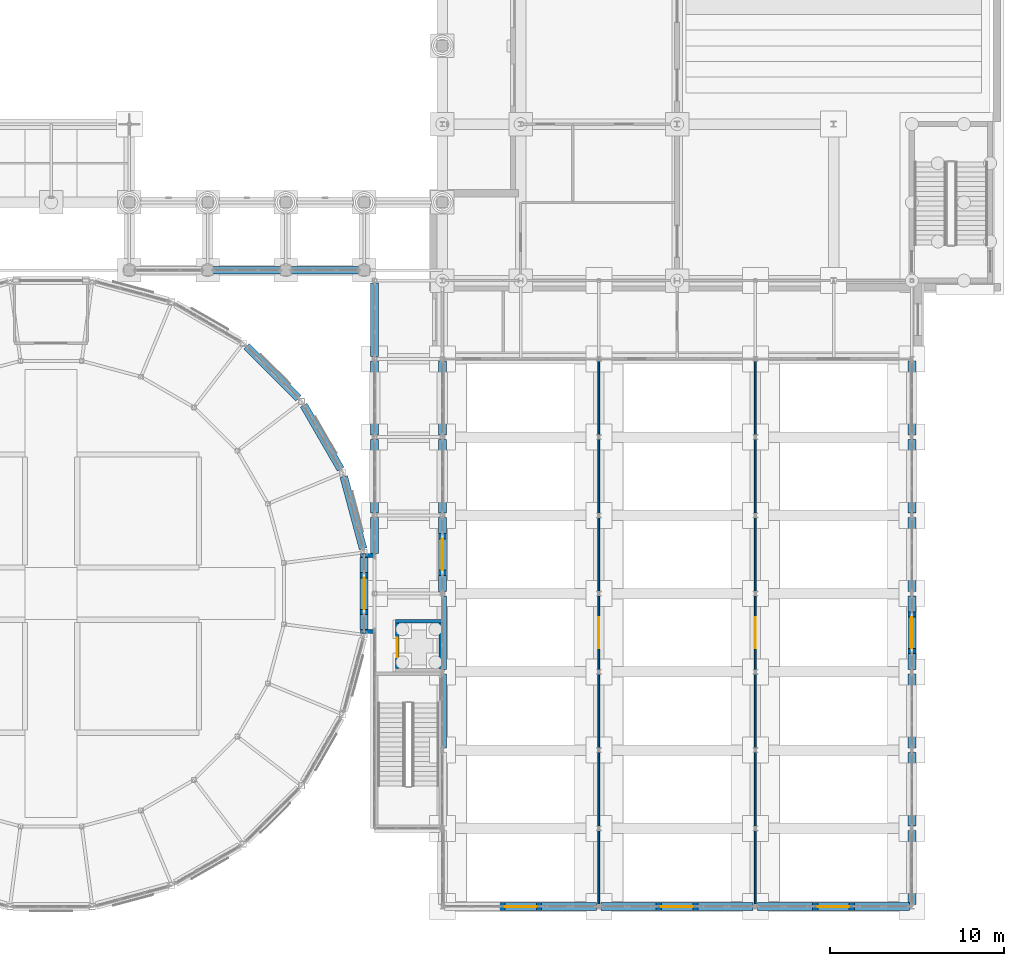
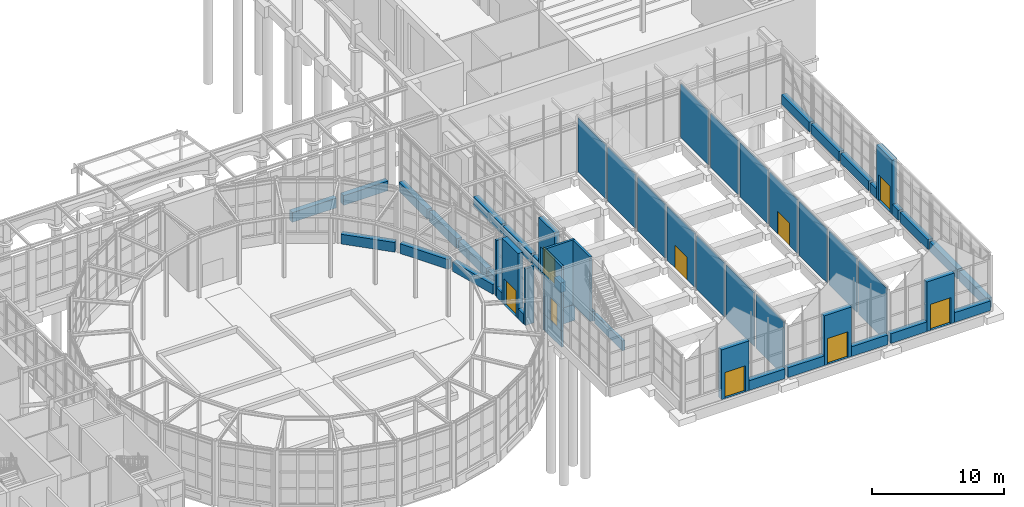
# One storey, part 72 of 106: 57 walls, 9 doors, 9 openings.
"""IFC4 building model written with IfcOpenShell, lengths in metres."""

import ifcopenshell
import ifcopenshell.guid

model = None  # the IFC model being written
_history = None  # IfcOwnerHistory: only IFC2X3 demands one
_inside = {}  # id of a spatial element -> (the spatial element, [elements in it])
_under = {}  # id of a project, library or spatial element -> (it, [spatial elements below it])
_declared = {}  # id of a project -> (the project, [libraries it declares])
_typed = {}  # id of a type object -> (the type object, [elements of that type])
_made_of = {}  # id of a material, layer set ... -> (it, [elements and type objects made of it])


def new_model(schema):
    """Start an empty IFC model of exactly this schema.

    Asked for "IFC4X3", IfcOpenShell would pick the latest addendum, in which some entities
    have other attributes; the version numbers below select the first issue.
    IFC2X3 requires an IfcOwnerHistory on every rooted entity: one is made here for all.
    """
    global model, _history
    if schema == "IFC4X3":
        model = ifcopenshell.file(schema_version=(4, 3, 0, 0))
    else:
        model = ifcopenshell.file(schema=schema)
    _inside.clear()
    _under.clear()
    _declared.clear()
    _typed.clear()
    _made_of.clear()
    _history = None
    if model.schema == "IFC2X3":
        org = make("IfcOrganization", Name="unknown")
        user = make(
            "IfcPersonAndOrganization",
            ThePerson=make("IfcPerson", FamilyName="unknown"),
            TheOrganization=org,
        )
        app = make(
            "IfcApplication",
            ApplicationDeveloper=org,
            Version="unknown",
            ApplicationFullName="unknown",
            ApplicationIdentifier="unknown",
        )
        _history = make(
            "IfcOwnerHistory",
            OwningUser=user,
            OwningApplication=app,
            ChangeAction="ADDED",
            CreationDate=0,
        )
    return model


def make(cls, **values):
    """One entity of the class cls with the attributes given. An attribute that is None is left unset."""
    return model.create_entity(
        cls, **{name: value for name, value in values.items() if value is not None}
    )


def rooted(cls, **values):
    """An entity with a GlobalId (a new one), such as an element, a storey or a relation."""
    return make(cls, GlobalId=ifcopenshell.guid.new(), OwnerHistory=_history, **values)


def si_unit(unit_type, name, prefix=None):
    """IfcSIUnit, for example si_unit("LENGTHUNIT", "METRE", prefix="MILLI")."""
    return make("IfcSIUnit", UnitType=unit_type, Prefix=prefix, Name=name)


def assignment(units):
    """IfcUnitAssignment: the units of a project."""
    return None if units is None else make("IfcUnitAssignment", Units=units)


def point(xyz):
    """IfcCartesianPoint."""
    return None if xyz is None else make("IfcCartesianPoint", Coordinates=xyz)


def direction(xyz):
    """IfcDirection."""
    return None if xyz is None else make("IfcDirection", DirectionRatios=xyz)


def frame(location, z_axis=None, x_axis=None):
    """IfcAxis2Placement3D, a coordinate frame: its origin and axes. An axis left out is left unset."""
    return make(
        "IfcAxis2Placement3D",
        Location=point(location),
        Axis=direction(z_axis),
        RefDirection=direction(x_axis),
    )


def frame_2d(location, x_axis=None):
    """IfcAxis2Placement2D, a coordinate frame in the plane: its origin and x axis."""
    return make(
        "IfcAxis2Placement2D", Location=point(location), RefDirection=direction(x_axis)
    )


def origin():
    """The frame at (0, 0, 0) with its axes left unset."""
    return frame((0.0, 0.0, 0.0))


def place(relative_to, where):
    """IfcLocalPlacement: puts the frame where relative to a parent placement (None: the world)."""
    return make(
        "IfcLocalPlacement", PlacementRelTo=relative_to, RelativePlacement=where
    )


def context(
    kind, dimensions, precision=None, world=None, true_north=None, identifier=None
):
    """IfcGeometricRepresentationContext, for example the 3D "Model" context."""
    return make(
        "IfcGeometricRepresentationContext",
        ContextIdentifier=identifier,
        ContextType=kind,
        CoordinateSpaceDimension=dimensions,
        Precision=precision,
        WorldCoordinateSystem=world,
        TrueNorth=true_north,
    )


def subcontext(parent, identifier, kind, view, scale=None):
    """IfcGeometricRepresentationSubContext, for example "Body" below "Model"."""
    return make(
        "IfcGeometricRepresentationSubContext",
        ContextIdentifier=identifier,
        ContextType=kind,
        ParentContext=parent,
        TargetScale=scale,
        TargetView=view,
    )


def project(units=None, contexts=None):
    """IfcProject with its units and contexts."""
    return rooted(
        "IfcProject",
        Name="project",
        RepresentationContexts=contexts,
        UnitsInContext=assignment(units),
    )


def spatial(cls, under=None, at=None, **own):
    """A site, building, storey or space (cls), placed at a placement, below another one or the project."""
    s = rooted(cls, ObjectPlacement=at, **own)
    if under is not None:
        _under.setdefault(under.id(), (under, []))[1].append(s)
    return s


def profile(cls, at=None, kind="AREA", **sizes):
    """A parametric profile (cls). Its sizes go by their IFC names, for example OverallWidth=200.0."""
    return make(cls, ProfileType=kind, Position=at, **sizes)


def rectangle(**sizes):
    """IfcRectangleProfileDef."""
    return profile("IfcRectangleProfileDef", **sizes)


def extrude(swept, where, along, depth):
    """IfcExtrudedAreaSolid: the profile swept, set in the frame where, extruded along a direction by depth."""
    return make(
        "IfcExtrudedAreaSolid",
        SweptArea=swept,
        Position=where,
        ExtrudedDirection=direction(along),
        Depth=depth,
    )


def shape(context_of_items, identifier, shape_type, items):
    """IfcShapeRepresentation: the items that make up one representation, for example the "Body"."""
    return make(
        "IfcShapeRepresentation",
        ContextOfItems=context_of_items,
        RepresentationIdentifier=identifier,
        RepresentationType=shape_type,
        Items=items,
    )


def material(Name=None, Category=None):
    """IfcMaterial."""
    return make("IfcMaterial", Name=Name, Category=Category)


def layer(
    of_material, thickness, ventilated=None, Name=None, Category=None, Priority=None
):
    """IfcMaterialLayer: one layer of a wall or slab, of a material (None: an air gap)."""
    return make(
        "IfcMaterialLayer",
        Material=of_material,
        LayerThickness=thickness,
        IsVentilated=ventilated,
        Name=Name,
        Category=Category,
        Priority=Priority,
    )


def layer_set(layers, Name=None):
    """IfcMaterialLayerSet."""
    return make("IfcMaterialLayerSet", MaterialLayers=layers, LayerSetName=Name)


def made_of(thing, what):
    """Note that an element or type object is made of a material, layer set ...; save() writes the relation."""
    if what is not None:
        _made_of.setdefault(what.id(), (what, []))[1].append(thing)
    return thing


def type_object(cls, material=None, **own):
    """A type object (cls), such as IfcWallType, which elements share."""
    return made_of(rooted(cls, **own), material)


def element(
    cls,
    number,
    at=None,
    inside=None,
    cuts=None,
    type_object=None,
    material=None,
    context=None,
    identifier="Body",
    shape_type=None,
    held_by="IfcProductDefinitionShape",
    body=None,
    shapes=None,
    **own,
):
    """One element of the class cls, such as IfcWall. Its Tag is "e" and its number.

    at: its placement. inside: the storey or other place that contains it. cuts: it is an
    opening in that element (IfcRelVoidsElement). A single representation is given by context,
    identifier, shape_type and body (its items); several are given by shapes. held_by: the class
    of the entity that holds the representations. save() writes the other relations.
    """
    e = rooted(cls, Tag="e%d" % number, ObjectPlacement=at, **own)
    if body is not None:
        shapes = [shape(context, identifier, shape_type, body)]
    if shapes is not None:
        e.Representation = make(held_by, Representations=shapes)
    if inside is not None:
        _inside.setdefault(inside.id(), (inside, []))[1].append(e)
    if cuts is not None:
        rooted(
            "IfcRelVoidsElement", RelatingBuildingElement=cuts, RelatedOpeningElement=e
        )
    if type_object is not None:
        _typed.setdefault(type_object.id(), (type_object, []))[1].append(e)
    return made_of(e, material)


def fill(opening, filler):
    """IfcRelFillsElement: the door or window that sits in an opening."""
    return rooted(
        "IfcRelFillsElement",
        RelatingOpeningElement=opening,
        RelatedBuildingElement=filler,
    )


def aggregate(whole, parts):
    """IfcRelAggregates: a whole, such as a stair, and the parts it consists of."""
    return rooted("IfcRelAggregates", RelatingObject=whole, RelatedObjects=parts)


def save(model, path):
    """Write the relations noted so far, then the file.

    IfcRelAggregates (storeys below a building ...), IfcRelContainedInSpatialStructure (elements
    in a storey), IfcRelDefinesByType, IfcRelAssociatesMaterial and IfcRelDeclares: one each for
    every whole, place, type object, material and project.
    """
    for whole, parts in _under.values():
        aggregate(whole, parts)
    for where, things in _inside.values():
        rooted(
            "IfcRelContainedInSpatialStructure",
            RelatedElements=things,
            RelatingStructure=where,
        )
    for kind, things in _typed.values():
        rooted("IfcRelDefinesByType", RelatedObjects=things, RelatingType=kind)
    for what, things in _made_of.values():
        rooted("IfcRelAssociatesMaterial", RelatedObjects=things, RelatingMaterial=what)
    for by, libraries in _declared.values():
        rooted("IfcRelDeclares", RelatingContext=by, RelatedDefinitions=libraries)
    model.write(path)


model = new_model("IFC4")

# Units and contexts
model_context = context("Model", 3, precision=1e-05, world=origin(), true_north=direction((0.0, 1.0)))
body_context = subcontext(model_context, "Body", "Model", "MODEL_VIEW")
ifc_project = project(units=[si_unit("LENGTHUNIT", "METRE"), si_unit("AREAUNIT", "SQUARE_METRE"), si_unit("VOLUMEUNIT", "CUBIC_METRE"), si_unit("PLANEANGLEUNIT", "RADIAN"), si_unit("MASSUNIT", "GRAM", prefix="KILO")], contexts=[model_context])

# Site, building, storey
site_placement = place(None, origin())
site = spatial("IfcSite", under=ifc_project, at=site_placement, CompositionType="ELEMENT")
building_placement = place(site_placement, origin())
building = spatial("IfcBuilding", under=site, at=building_placement, Name="Hortulan Conservatory and Botanical Research Centre", CompositionType="ELEMENT")
storey_placement = place(building_placement, origin())
storey = spatial("IfcBuildingStorey", under=building, at=storey_placement, Name="L00", CompositionType="ELEMENT", Elevation=0.0)

# Walls
ifc_material_1 = material(Name="Toughened glass in aluminium frame", Category="aluminium")
ifc_layer_1 = layer(ifc_material_1, 0.10009765625)
ifc_layer_set_1 = layer_set([ifc_layer_1], Name="Glasshouse Glazed Partition 100")
wall_type_1 = type_object("IfcWallType", Name="Glasshouse Glazed Partition 100", PredefinedType="PARTITIONING", material=ifc_layer_set_1)
for number, where, z_axis, x_axis, name in (
    (1, (85.5, 0.136962890625, 0.0), (0.0, 0.0, 1.0), (0.0, 1.0, 0.0), "Partition Temperate Glasshouse and Arid Glasshouse L00"),
    (2, (85.5, 4.636962890625, 0.0), (0.0, 0.0, 1.0), (0.0, 1.0, 0.0), "Partition Temperate Glasshouse and Arid Glasshouse L00"),
    (3, (85.5, 9.136962890625, 0.0), (0.0, 0.0, 1.0), (0.0, 1.0, 0.0), "Partition Temperate Glasshouse and Arid Glasshouse L00"),
):
    element("IfcWall", number, at=place(storey_placement, frame(where, z_axis=z_axis, x_axis=x_axis)), inside=storey, type_object=wall_type_1, Name=name, PredefinedType="PARTITIONING", context=body_context, shape_type="SweptSolid", body=[
        extrude(rectangle(XDim=4.22607421875, YDim=0.10009765625, at=frame_2d((2.113037109375, 0.0))), origin(), (0.0, 0.0, 1.0), 5.0),
    ])

# Wall, opening, door
wall_1_placement = place(storey_placement, frame((85.5, 13.636962890625, 0.0), z_axis=(0.0, 0.0, 1.0), x_axis=(0.0, 1.0, 0.0)))
wall_1 = element("IfcWall", 4, at=wall_1_placement, inside=storey, type_object=wall_type_1, Name="Partition Temperate Glasshouse and Arid Glasshouse L00", PredefinedType="PARTITIONING", context=body_context, shape_type="SweptSolid", body=[
    extrude(rectangle(XDim=4.22607421875, YDim=0.10009765625, at=frame_2d((2.113037109375, 0.0))), origin(), (0.0, 0.0, 1.0), 5.0),
])
opening_1_placement = place(wall_1_placement, frame((1.212890625, 0.0, 0.0)))
opening_1 = element("IfcOpeningElement", 5, at=opening_1_placement, cuts=wall_1, Name="Opening DL1", PredefinedType="OPENING", context=body_context, shape_type="SweptSolid", body=[
    extrude(rectangle(XDim=1.800048828125, YDim=2.10009765625, at=frame_2d((0.89990234375, 1.050048828125))), frame((0.0, 0.06005859375, 0.0), z_axis=(0.0, -1.0, 0.0), x_axis=(1.0, 0.0, 0.0)), (0.0, 0.0, 1.0), 0.1201171875),
])
ifc_material_2 = material(Name="Glazed aluminium door leaves in aluminium frame", Category="aluminium")
door_type_1 = type_object("IfcDoorType", Name="Glazed Double Door 1800 x 2100", OperationType="DOUBLE_DOOR_SINGLE_SWING", PredefinedType="DOOR", material=ifc_material_2)
door_1_placement = place(opening_1_placement, frame((1.800048828125, 0.0, 0.0), z_axis=(0.0, 0.0, 1.0), x_axis=(-1.0, 0.0, 0.0)))
door_1 = element("IfcDoor", 6, at=door_1_placement, inside=storey, type_object=door_type_1, Name="Door DL1 Temperate Glasshouse to Arid Glasshouse", OperationType="DOUBLE_DOOR_SINGLE_SWING", OverallHeight=2.10009765625, OverallWidth=1.800048828125, PredefinedType="DOOR", context=body_context, shape_type="SweptSolid", body=[
    extrude(rectangle(XDim=1.800048828125, YDim=2.10009765625, at=frame_2d((0.89990234375, 1.050048828125))), frame((0.0, 0.02490234375, 0.0), z_axis=(0.0, -1.0, 0.0), x_axis=(1.0, 0.0, 0.0)), (0.0, 0.0, 1.0), 0.050048828125),
])
fill(opening_1, door_1)

# Walls
for number, where, z_axis, x_axis, name in (
    (7, (85.5, 18.136962890625, 0.0), (0.0, 0.0, 1.0), (0.0, 1.0, 0.0), "Partition Temperate Glasshouse and Arid Glasshouse L00"),
    (8, (85.5, 22.636962890625, 0.0), (0.0, 0.0, 1.0), (0.0, 1.0, 0.0), "Partition Temperate Glasshouse and Arid Glasshouse L00"),
    (9, (85.5, 27.136962890625, 0.0), (0.0, 0.0, 1.0), (0.0, 1.0, 0.0), "Partition Temperate Glasshouse and Arid Glasshouse L00"),
    (10, (94.5, 0.136962890625, 0.0), (0.0, 0.0, 1.0), (0.0, 1.0, 0.0), "Partition Arid Glasshouse and Propagation and Quarantine Glasshouse L00"),
    (11, (94.5, 4.636962890625, 0.0), (0.0, 0.0, 1.0), (0.0, 1.0, 0.0), "Partition Arid Glasshouse and Propagation and Quarantine Glasshouse L00"),
    (12, (94.5, 9.136962890625, 0.0), (0.0, 0.0, 1.0), (0.0, 1.0, 0.0), "Partition Arid Glasshouse and Propagation and Quarantine Glasshouse L00"),
):
    element("IfcWall", number, at=place(storey_placement, frame(where, z_axis=z_axis, x_axis=x_axis)), inside=storey, type_object=wall_type_1, Name=name, PredefinedType="PARTITIONING", context=body_context, shape_type="SweptSolid", body=[
        extrude(rectangle(XDim=4.22607421875, YDim=0.10009765625, at=frame_2d((2.113037109375, 0.0))), origin(), (0.0, 0.0, 1.0), 5.0),
    ])

# Wall, opening, door
wall_2_placement = place(storey_placement, frame((94.5, 13.636962890625, 0.0), z_axis=(0.0, 0.0, 1.0), x_axis=(0.0, 1.0, 0.0)))
wall_2 = element("IfcWall", 13, at=wall_2_placement, inside=storey, type_object=wall_type_1, Name="Partition Arid Glasshouse and Propagation and Quarantine Glasshouse L00", PredefinedType="PARTITIONING", context=body_context, shape_type="SweptSolid", body=[
    extrude(rectangle(XDim=4.22607421875, YDim=0.10009765625, at=frame_2d((2.113037109375, 0.0))), origin(), (0.0, 0.0, 1.0), 5.0),
])
opening_2_placement = place(wall_2_placement, frame((1.212890625, 0.0, 0.0)))
opening_2 = element("IfcOpeningElement", 14, at=opening_2_placement, cuts=wall_2, Name="Opening DL1", PredefinedType="OPENING", context=body_context, shape_type="SweptSolid", body=[
    extrude(rectangle(XDim=1.800048828125, YDim=2.10009765625, at=frame_2d((0.89990234375, 1.050048828125))), frame((0.0, 0.06005859375, 0.0), z_axis=(0.0, -1.0, 0.0), x_axis=(1.0, 0.0, 0.0)), (0.0, 0.0, 1.0), 0.1201171875),
])
door_2_placement = place(opening_2_placement, frame((1.800048828125, 0.0, 0.0), z_axis=(0.0, 0.0, 1.0), x_axis=(-1.0, 0.0, 0.0)))
door_2 = element("IfcDoor", 15, at=door_2_placement, inside=storey, type_object=door_type_1, Name="Door DL1 Arid Glasshouse to Propagation and Quarantine Glasshouse", OperationType="DOUBLE_DOOR_SINGLE_SWING", OverallHeight=2.10009765625, OverallWidth=1.800048828125, PredefinedType="DOOR", context=body_context, shape_type="SweptSolid", body=[
    extrude(rectangle(XDim=1.800048828125, YDim=2.10009765625, at=frame_2d((0.89990234375, 1.050048828125))), frame((0.0, 0.02490234375, 0.0), z_axis=(0.0, -1.0, 0.0), x_axis=(1.0, 0.0, 0.0)), (0.0, 0.0, 1.0), 0.050048828125),
])
fill(opening_2, door_2)

# Walls
for number, where, z_axis, x_axis, name in (
    (16, (94.5, 18.136962890625, 0.0), (0.0, 0.0, 1.0), (0.0, 1.0, 0.0), "Partition Arid Glasshouse and Propagation and Quarantine Glasshouse L00"),
    (17, (94.5, 22.636962890625, 0.0), (0.0, 0.0, 1.0), (0.0, 1.0, 0.0), "Partition Arid Glasshouse and Propagation and Quarantine Glasshouse L00"),
    (18, (94.5, 27.136962890625, 0.0), (0.0, 0.0, 1.0), (0.0, 1.0, 0.0), "Partition Arid Glasshouse and Propagation and Quarantine Glasshouse L00"),
):
    element("IfcWall", number, at=place(storey_placement, frame(where, z_axis=z_axis, x_axis=x_axis)), inside=storey, type_object=wall_type_1, Name=name, PredefinedType="PARTITIONING", context=body_context, shape_type="SweptSolid", body=[
        extrude(rectangle(XDim=4.22607421875, YDim=0.10009765625, at=frame_2d((2.113037109375, 0.0))), origin(), (0.0, 0.0, 1.0), 5.0),
    ])
ifc_material_3 = material(Name="Concrete N40 (40 MPa, AS 3600)", Category="concrete")
ifc_layer_2 = layer(ifc_material_3, 0.199951171875)
ifc_layer_set_2 = layer_set([ifc_layer_2], Name="Head Link Shaft Wall 200")
wall_type_2 = type_object("IfcWallType", Name="Head Link Shaft Wall 200", PredefinedType="SHEAR", material=ifc_layer_set_2)
wall_3_placement = place(storey_placement, frame((73.800048828125, 16.39990234375, 0.0), z_axis=(0.0, 0.0, 1.0), x_axis=(1.0, 0.0, 0.0)))
element("IfcWall", 19, at=wall_3_placement, inside=storey, type_object=wall_type_2, Name="HE lift shaft north wall L00", PredefinedType="SHEAR", context=body_context, shape_type="SweptSolid", body=[
    extrude(rectangle(XDim=2.699951171875, YDim=0.199951171875, at=frame_2d((1.35009765625, 0.0))), origin(), (0.0, 0.0, 1.0), 6.0),
])

# Wall, opening, door
wall_4_placement = place(storey_placement, frame((73.89990234375, 13.699951171875, 0.0), z_axis=(0.0, 0.0, 1.0), x_axis=(0.0, 1.0, 0.0)))
wall_4 = element("IfcWall", 20, at=wall_4_placement, inside=storey, type_object=wall_type_2, Name="HE lift shaft west wall L00", PredefinedType="SHEAR", context=body_context, shape_type="SweptSolid", body=[
    extrude(rectangle(XDim=2.60009765625, YDim=0.199951171875, at=frame_2d((1.300048828125, 0.0))), origin(), (0.0, 0.0, 1.0), 6.0),
])
opening_3_placement = place(wall_4_placement, frame((0.64990234375, 0.0, 0.0)))
opening_3 = element("IfcOpeningElement", 21, at=opening_3_placement, cuts=wall_4, Name="Opening LD1", PredefinedType="OPENING", context=body_context, shape_type="SweptSolid", body=[
    extrude(rectangle(XDim=1.10009765625, YDim=2.10009765625, at=frame_2d((0.550048828125, 1.050048828125))), frame((0.0, 0.10986328125, 0.0), z_axis=(0.0, -1.0, 0.0), x_axis=(1.0, 0.0, 0.0)), (0.0, 0.0, 1.0), 0.219970703125),
])
ifc_material_4 = material(Name="Stainless steel door leaves in steel frame", Category="steel")
door_type_2 = type_object("IfcDoorType", Name="Lift Landing Door 1100x2100", OperationType="DOUBLE_DOOR_SLIDING", PredefinedType="DOOR", material=ifc_material_4)
door_3_placement = place(opening_3_placement, origin())
door_3 = element("IfcDoor", 22, at=door_3_placement, inside=storey, type_object=door_type_2, Name="Lift LHE landing door L00", OperationType="DOUBLE_DOOR_SLIDING", OverallHeight=2.10009765625, OverallWidth=1.10009765625, PredefinedType="DOOR", context=body_context, shape_type="SweptSolid", body=[
    extrude(rectangle(XDim=1.10009765625, YDim=2.10009765625, at=frame_2d((0.550048828125, 1.050048828125))), frame((0.0, 0.02490234375, 0.0), z_axis=(0.0, -1.0, 0.0), x_axis=(1.0, 0.0, 0.0)), (0.0, 0.0, 1.0), 0.050048828125),
])
fill(opening_3, door_3)

# Walls
wall_5_placement = place(storey_placement, frame((76.39990234375, 13.699951171875, 0.0), z_axis=(0.0, 0.0, 1.0), x_axis=(0.0, 1.0, 0.0)))
element("IfcWall", 23, at=wall_5_placement, inside=storey, type_object=wall_type_2, Name="HE lift shaft east wall L00", PredefinedType="SHEAR", context=body_context, shape_type="SweptSolid", body=[
    extrude(rectangle(XDim=2.60009765625, YDim=0.199951171875, at=frame_2d((1.300048828125, 0.0))), origin(), (0.0, 0.0, 1.0), 6.0),
])
wall_6_placement = place(storey_placement, frame((73.800048828125, 16.39990234375, -1.5), z_axis=(0.0, 0.0, 1.0), x_axis=(1.0, 0.0, 0.0)))
element("IfcWall", 24, at=wall_6_placement, inside=storey, type_object=wall_type_2, Name="HE lift pit north wall", PredefinedType="SHEAR", context=body_context, shape_type="SweptSolid", body=[
    extrude(rectangle(XDim=2.699951171875, YDim=0.199951171875, at=frame_2d((1.35009765625, 0.0))), origin(), (0.0, 0.0, 1.0), 1.5),
])
wall_7_placement = place(storey_placement, frame((73.89990234375, 13.699951171875, -1.5), z_axis=(0.0, 0.0, 1.0), x_axis=(0.0, 1.0, 0.0)))
element("IfcWall", 25, at=wall_7_placement, inside=storey, type_object=wall_type_2, Name="HE lift pit west wall", PredefinedType="SHEAR", context=body_context, shape_type="SweptSolid", body=[
    extrude(rectangle(XDim=2.60009765625, YDim=0.199951171875, at=frame_2d((1.300048828125, 0.0))), origin(), (0.0, 0.0, 1.0), 1.5),
])
ifc_material_5 = material(Name="Sandstone masonry (Hawkesbury yellow block)", Category="masonry")
ifc_layer_3 = layer(ifc_material_5, 0.22509765625)
ifc_layer_set_3 = layer_set([ifc_layer_3], Name="Sandstone Masonry Cavity Wall 225")
wall_type_3 = type_object("IfcWallType", Name="Sandstone Masonry Cavity Wall 225", PredefinedType="STANDARD", material=ifc_layer_set_3)
for number, where, z_axis, x_axis, name in (
    (26, (71.804931640625, 15.81787109375, 0.0), (0.0, 0.0, 1.0), (1.0, 0.0, 0.0), "Niche return wall"),
    (27, (71.804931640625, 20.18212890625, 0.0), (0.0, 0.0, 1.0), (1.0, 0.0, 0.0), "Niche return wall"),
):
    element("IfcWall", number, at=place(storey_placement, frame(where, z_axis=z_axis, x_axis=x_axis)), inside=storey, type_object=wall_type_3, Name=name, PredefinedType="STANDARD", context=body_context, shape_type="SweptSolid", body=[
        extrude(rectangle(XDim=0.77001953125, YDim=0.22509765625, at=frame_2d((0.385009765625, 0.0))), origin(), (0.0, 0.0, 1.0), 5.239990234375),
    ])
wall_8_placement = place(storey_placement, frame((76.612548828125, 17.8720703125, 0.0), z_axis=(0.0, 0.0, 1.0), x_axis=(0.0, -1.0, 0.0)))
element("IfcWall", 28, at=wall_8_placement, inside=storey, type_object=wall_type_3, Name="Plinth wall", PredefinedType="STANDARD", context=body_context, shape_type="SweptSolid", body=[
    extrude(rectangle(XDim=4.2421875, YDim=0.22509765625, at=frame_2d((2.12109375, 0.0))), origin(), (0.0, 0.0, 1.0), 0.89990234375),
])
wall_9_placement = place(storey_placement, frame((76.612548828125, 13.3701171875, 0.0), z_axis=(0.0, 0.0, 1.0), x_axis=(0.0, -1.0, 0.0)))
element("IfcWall", 29, at=wall_9_placement, inside=storey, type_object=wall_type_3, Name="Plinth wall", PredefinedType="STANDARD", context=body_context, shape_type="SweptSolid", body=[
    extrude(rectangle(XDim=4.240234375, YDim=0.22509765625, at=frame_2d((2.1201171875, 0.0))), origin(), (0.0, 0.0, 1.0), 0.89990234375),
])
ifc_layer_4 = layer(ifc_material_5, 0.449951171875)
ifc_layer_set_4 = layer_set([ifc_layer_4], Name="Sandstone Masonry Cavity Wall 450")
wall_type_4 = type_object("IfcWallType", Name="Sandstone Masonry Cavity Wall 450", PredefinedType="STANDARD", material=ifc_layer_set_4)
wall_10_placement = place(storey_placement, frame((70.82958984375, 24.738037109375, 0.0), z_axis=(0.0, 0.0, 1.0), x_axis=(0.258781441844, -0.965935901267, 0.0)))
element("IfcWall", 30, at=wall_10_placement, inside=storey, type_object=wall_type_4, Name="Plinth wall", PredefinedType="STANDARD", context=body_context, shape_type="SweptSolid", body=[
    extrude(rectangle(XDim=4.304931640625, YDim=0.449951171875, at=frame_2d((2.15234375, 0.0))), origin(), (0.0, 0.0, 1.0), 0.89990234375),
])
wall_11_placement = place(storey_placement, frame((68.52490234375, 28.84228515625, 0.0), z_axis=(0.0, 0.0, 1.0), x_axis=(0.49998406464, -0.866034603873, 0.0)))
element("IfcWall", 31, at=wall_11_placement, inside=storey, type_object=wall_type_4, Name="Plinth wall", PredefinedType="STANDARD", context=body_context, shape_type="SweptSolid", body=[
    extrude(rectangle(XDim=4.254638671875, YDim=0.449951171875, at=frame_2d((2.12744140625, 0.0))), origin(), (0.0, 0.0, 1.0), 0.89990234375),
])
wall_12_placement = place(storey_placement, frame((65.22900390625, 32.226806640625, 0.0), z_axis=(0.0, 0.0, 1.0), x_axis=(0.707106781187, -0.707106781187, 0.0)))
element("IfcWall", 32, at=wall_12_placement, inside=storey, type_object=wall_type_4, Name="Plinth wall", PredefinedType="STANDARD", context=body_context, shape_type="SweptSolid", body=[
    extrude(rectangle(XDim=4.239501953125, YDim=0.449951171875, at=frame_2d((2.11962890625, 0.0))), origin(), (0.0, 0.0, 1.0), 0.89990234375),
])
wall_13_placement = place(storey_placement, frame((72.0, 20.069580078125, 0.0), z_axis=(0.0, 0.0, 1.0), x_axis=(0.0, -1.0, 0.0)))
element("IfcWall", 33, at=wall_13_placement, inside=storey, type_object=wall_type_4, Name="Plinth wall", PredefinedType="STANDARD", context=body_context, shape_type="SweptSolid", body=[
    extrude(rectangle(XDim=0.86962890625, YDim=0.449951171875, at=frame_2d((0.434814453125, 0.0))), origin(), (0.0, 0.0, 1.0), 0.89990234375),
])

# Wall, opening, door
wall_14_placement = place(storey_placement, frame((72.0, 19.199951171875, 0.0), z_axis=(0.0, 0.0, 1.0), x_axis=(0.0, -1.0, 0.0)))
wall_14 = element("IfcWall", 34, at=wall_14_placement, inside=storey, type_object=wall_type_4, Name="Door bay wall", PredefinedType="STANDARD", context=body_context, shape_type="SweptSolid", body=[
    extrude(rectangle(XDim=2.39990234375, YDim=0.449951171875, at=frame_2d((1.199951171875, 0.0))), origin(), (0.0, 0.0, 1.0), 6.0),
])
opening_4_placement = place(wall_14_placement, frame((0.300048828125, 0.0, 0.011962890625)))
opening_4 = element("IfcOpeningElement", 35, at=opening_4_placement, cuts=wall_14, Name="Opening ED8", PredefinedType="OPENING", context=body_context, shape_type="SweptSolid", body=[
    extrude(rectangle(XDim=1.800048828125, YDim=2.39990234375, at=frame_2d((0.89990234375, 1.199951171875))), frame((0.0, 0.23486328125, 0.0), z_axis=(0.0, -1.0, 0.0), x_axis=(1.0, 0.0, 0.0)), (0.0, 0.0, 1.0), 0.469970703125),
])
ifc_material_6 = material(Name="Bronze and toughened laminated glass", Category="glass")
door_type_3 = type_object("IfcDoorType", Name="Sliding Glazed Door Pair 1800x2400", OperationType="DOUBLE_DOOR_SLIDING", PredefinedType="DOOR", material=ifc_material_6)
door_4_placement = place(opening_4_placement, origin())
door_4 = element("IfcDoor", 36, at=door_4_placement, inside=storey, type_object=door_type_3, Name="Link door", OperationType="DOUBLE_DOOR_SLIDING", OverallHeight=2.39990234375, OverallWidth=1.800048828125, PredefinedType="DOOR", context=body_context, shape_type="SweptSolid", body=[
    extrude(rectangle(XDim=1.800048828125, YDim=2.39990234375, at=frame_2d((0.89990234375, 1.199951171875))), frame((0.0, 0.02490234375, 0.0), z_axis=(0.0, -1.0, 0.0), x_axis=(1.0, 0.0, 0.0)), (0.0, 0.0, 1.0), 0.050048828125),
])
fill(opening_4, door_4)

# Walls
wall_15_placement = place(storey_placement, frame((72.0, 16.800048828125, 0.0), z_axis=(0.0, 0.0, 1.0), x_axis=(0.0, -1.0, 0.0)))
element("IfcWall", 37, at=wall_15_placement, inside=storey, type_object=wall_type_4, Name="Plinth wall", PredefinedType="STANDARD", context=body_context, shape_type="SweptSolid", body=[
    extrude(rectangle(XDim=0.86962890625, YDim=0.449951171875, at=frame_2d((0.434814453125, 0.0))), origin(), (0.0, 0.0, 1.0), 0.89990234375),
])
wall_16_placement = place(storey_placement, frame((72.60009765625, 20.294677734375, 0.0), z_axis=(0.0, 0.0, 1.0), x_axis=(0.0, 1.0, 0.0)))
element("IfcWall", 38, at=wall_16_placement, inside=storey, type_object=wall_type_4, Name="Plinth wall", PredefinedType="STANDARD", context=body_context, shape_type="SweptSolid", body=[
    extrude(rectangle(XDim=2.077392578125, YDim=0.449951171875, at=frame_2d((1.03857421875, 0.0))), origin(), (0.0, 0.0, 1.0), 0.89990234375),
])
for number, where, z_axis, x_axis, name in (
    (39, (72.60009765625, 22.6279296875, 0.0), (0.0, 0.0, 1.0), (0.0, 1.0, 0.0), "Plinth wall"),
    (40, (72.60009765625, 27.1279296875, 0.0), (0.0, 0.0, 1.0), (0.0, 1.0, 0.0), "Plinth wall"),
    (41, (72.60009765625, 31.6279296875, 0.0), (0.0, 0.0, 1.0), (0.0, 1.0, 0.0), "Plinth wall"),
):
    element("IfcWall", number, at=place(storey_placement, frame(where, z_axis=z_axis, x_axis=x_axis)), inside=storey, type_object=wall_type_4, Name=name, PredefinedType="STANDARD", context=body_context, shape_type="SweptSolid", body=[
        extrude(rectangle(XDim=4.244140625, YDim=0.449951171875, at=frame_2d((2.1220703125, 0.0))), origin(), (0.0, 0.0, 1.0), 0.89990234375),
    ])
for number, where, z_axis, x_axis, name in (
    (42, (63.302978515625, 36.60009765625, 0.0), (0.0, 0.0, 1.0), (1.0, 0.0, 0.0), "Plinth wall"),
    (43, (67.802978515625, 36.60009765625, 0.0), (0.0, 0.0, 1.0), (1.0, 0.0, 0.0), "Plinth wall"),
):
    element("IfcWall", number, at=place(storey_placement, frame(where, z_axis=z_axis, x_axis=x_axis)), inside=storey, type_object=wall_type_4, Name=name, PredefinedType="STANDARD", context=body_context, shape_type="SweptSolid", body=[
        extrude(rectangle(XDim=3.89404296875, YDim=0.449951171875, at=frame_2d((1.947021484375, 0.0))), origin(), (0.0, 0.0, 1.0), 0.89990234375),
    ])
wall_17_placement = place(storey_placement, frame((85.3701171875, 0.0, 0.0), z_axis=(0.0, 0.0, 1.0), x_axis=(-1.0, 0.0, 0.0)))
element("IfcWall", 44, at=wall_17_placement, inside=storey, type_object=wall_type_4, Name="Plinth wall", PredefinedType="STANDARD", context=body_context, shape_type="SweptSolid", body=[
    extrude(rectangle(XDim=3.170166015625, YDim=0.449951171875, at=frame_2d((1.5849609375, 0.0))), origin(), (0.0, 0.0, 1.0), 0.89990234375),
])

# Wall, opening, door
wall_18_placement = place(storey_placement, frame((82.199951171875, 0.0, 0.0), z_axis=(0.0, 0.0, 1.0), x_axis=(-1.0, 0.0, 0.0)))
wall_18 = element("IfcWall", 45, at=wall_18_placement, inside=storey, type_object=wall_type_4, Name="Door bay wall", PredefinedType="STANDARD", context=body_context, shape_type="SweptSolid", body=[
    extrude(rectangle(XDim=2.39990234375, YDim=0.449951171875, at=frame_2d((1.199951171875, 0.0))), origin(), (0.0, 0.0, 1.0), 4.60009765625),
])
opening_5_placement = place(wall_18_placement, frame((0.300048828125, 0.0, 0.011962890625)))
opening_5 = element("IfcOpeningElement", 46, at=opening_5_placement, cuts=wall_18, Name="Opening ED2", PredefinedType="OPENING", context=body_context, shape_type="SweptSolid", body=[
    extrude(rectangle(XDim=1.800048828125, YDim=2.39990234375, at=frame_2d((0.89990234375, 1.199951171875))), frame((0.0, 0.23486328125, 0.0), z_axis=(0.0, -1.0, 0.0), x_axis=(1.0, 0.0, 0.0)), (0.0, 0.0, 1.0), 0.469970703125),
])
door_type_4 = type_object("IfcDoorType", Name="Exit Door Pair 1800x2400", OperationType="DOUBLE_DOOR_DOUBLE_SWING", PredefinedType="DOOR", material=ifc_material_6)
door_5_placement = place(opening_5_placement, origin())
door_5 = element("IfcDoor", 47, at=door_5_placement, inside=storey, type_object=door_type_4, Name="Exit door", OperationType="DOUBLE_DOOR_DOUBLE_SWING", OverallHeight=2.39990234375, OverallWidth=1.800048828125, PredefinedType="DOOR", context=body_context, shape_type="SweptSolid", body=[
    extrude(rectangle(XDim=1.800048828125, YDim=2.39990234375, at=frame_2d((0.89990234375, 1.199951171875))), frame((0.0, 0.02490234375, 0.0), z_axis=(0.0, -1.0, 0.0), x_axis=(1.0, 0.0, 0.0)), (0.0, 0.0, 1.0), 0.050048828125),
])
fill(opening_5, door_5)

# Wall
wall_19_placement = place(storey_placement, frame((94.3701171875, 0.0, 0.0), z_axis=(0.0, 0.0, 1.0), x_axis=(-1.0, 0.0, 0.0)))
element("IfcWall", 48, at=wall_19_placement, inside=storey, type_object=wall_type_4, Name="Plinth wall", PredefinedType="STANDARD", context=body_context, shape_type="SweptSolid", body=[
    extrude(rectangle(XDim=3.170166015625, YDim=0.449951171875, at=frame_2d((1.5849609375, 0.0))), origin(), (0.0, 0.0, 1.0), 0.89990234375),
])

# Wall, opening, door
wall_20_placement = place(storey_placement, frame((91.199951171875, 0.0, 0.0), z_axis=(0.0, 0.0, 1.0), x_axis=(-1.0, 0.0, 0.0)))
wall_20 = element("IfcWall", 49, at=wall_20_placement, inside=storey, type_object=wall_type_4, Name="Door bay wall", PredefinedType="STANDARD", context=body_context, shape_type="SweptSolid", body=[
    extrude(rectangle(XDim=2.39990234375, YDim=0.449951171875, at=frame_2d((1.199951171875, 0.0))), origin(), (0.0, 0.0, 1.0), 4.60009765625),
])
opening_6_placement = place(wall_20_placement, frame((0.300048828125, 0.0, 0.011962890625)))
opening_6 = element("IfcOpeningElement", 50, at=opening_6_placement, cuts=wall_20, Name="Opening ED2", PredefinedType="OPENING", context=body_context, shape_type="SweptSolid", body=[
    extrude(rectangle(XDim=1.800048828125, YDim=2.39990234375, at=frame_2d((0.89990234375, 1.199951171875))), frame((0.0, 0.23486328125, 0.0), z_axis=(0.0, -1.0, 0.0), x_axis=(1.0, 0.0, 0.0)), (0.0, 0.0, 1.0), 0.469970703125),
])
door_6_placement = place(opening_6_placement, origin())
door_6 = element("IfcDoor", 51, at=door_6_placement, inside=storey, type_object=door_type_4, Name="Exit door", OperationType="DOUBLE_DOOR_DOUBLE_SWING", OverallHeight=2.39990234375, OverallWidth=1.800048828125, PredefinedType="DOOR", context=body_context, shape_type="SweptSolid", body=[
    extrude(rectangle(XDim=1.800048828125, YDim=2.39990234375, at=frame_2d((0.89990234375, 1.199951171875))), frame((0.0, 0.02490234375, 0.0), z_axis=(0.0, -1.0, 0.0), x_axis=(1.0, 0.0, 0.0)), (0.0, 0.0, 1.0), 0.050048828125),
])
fill(opening_6, door_6)

# Walls
for number, where, z_axis, x_axis, name in (
    (52, (88.800048828125, 0.0, 0.0), (0.0, 0.0, 1.0), (-1.0, 0.0, 0.0), "Plinth wall"),
    (53, (103.3701171875, 0.0, 0.0), (0.0, 0.0, 1.0), (-1.0, 0.0, 0.0), "Plinth wall"),
):
    element("IfcWall", number, at=place(storey_placement, frame(where, z_axis=z_axis, x_axis=x_axis)), inside=storey, type_object=wall_type_4, Name=name, PredefinedType="STANDARD", context=body_context, shape_type="SweptSolid", body=[
        extrude(rectangle(XDim=3.170166015625, YDim=0.449951171875, at=frame_2d((1.5849609375, 0.0))), origin(), (0.0, 0.0, 1.0), 0.89990234375),
    ])

# Wall, opening, door
wall_21_placement = place(storey_placement, frame((100.199951171875, 0.0, 0.0), z_axis=(0.0, 0.0, 1.0), x_axis=(-1.0, 0.0, 0.0)))
wall_21 = element("IfcWall", 54, at=wall_21_placement, inside=storey, type_object=wall_type_4, Name="Door bay wall", PredefinedType="STANDARD", context=body_context, shape_type="SweptSolid", body=[
    extrude(rectangle(XDim=2.39990234375, YDim=0.449951171875, at=frame_2d((1.199951171875, 0.0))), origin(), (0.0, 0.0, 1.0), 4.60009765625),
])
opening_7_placement = place(wall_21_placement, frame((0.300048828125, 0.0, 0.011962890625)))
opening_7 = element("IfcOpeningElement", 55, at=opening_7_placement, cuts=wall_21, Name="Opening ED2", PredefinedType="OPENING", context=body_context, shape_type="SweptSolid", body=[
    extrude(rectangle(XDim=1.800048828125, YDim=2.39990234375, at=frame_2d((0.89990234375, 1.199951171875))), frame((0.0, 0.23486328125, 0.0), z_axis=(0.0, -1.0, 0.0), x_axis=(1.0, 0.0, 0.0)), (0.0, 0.0, 1.0), 0.469970703125),
])
door_7_placement = place(opening_7_placement, origin())
door_7 = element("IfcDoor", 56, at=door_7_placement, inside=storey, type_object=door_type_4, Name="Exit door", OperationType="DOUBLE_DOOR_DOUBLE_SWING", OverallHeight=2.39990234375, OverallWidth=1.800048828125, PredefinedType="DOOR", context=body_context, shape_type="SweptSolid", body=[
    extrude(rectangle(XDim=1.800048828125, YDim=2.39990234375, at=frame_2d((0.89990234375, 1.199951171875))), frame((0.0, 0.02490234375, 0.0), z_axis=(0.0, -1.0, 0.0), x_axis=(1.0, 0.0, 0.0)), (0.0, 0.0, 1.0), 0.050048828125),
])
fill(opening_7, door_7)

# Walls
wall_22_placement = place(storey_placement, frame((97.800048828125, 0.0, 0.0), z_axis=(0.0, 0.0, 1.0), x_axis=(-1.0, 0.0, 0.0)))
element("IfcWall", 57, at=wall_22_placement, inside=storey, type_object=wall_type_4, Name="Plinth wall", PredefinedType="STANDARD", context=body_context, shape_type="SweptSolid", body=[
    extrude(rectangle(XDim=3.170166015625, YDim=0.449951171875, at=frame_2d((1.5849609375, 0.0))), origin(), (0.0, 0.0, 1.0), 0.89990234375),
])
for number, where, z_axis, x_axis, name in (
    (58, (76.5, 31.3720703125, 0.0), (0.0, 0.0, 1.0), (0.0, -1.0, 0.0), "Plinth wall"),
    (59, (76.5, 26.8720703125, 0.0), (0.0, 0.0, 1.0), (0.0, -1.0, 0.0), "Plinth wall"),
):
    element("IfcWall", number, at=place(storey_placement, frame(where, z_axis=z_axis, x_axis=x_axis)), inside=storey, type_object=wall_type_4, Name=name, PredefinedType="STANDARD", context=body_context, shape_type="SweptSolid", body=[
        extrude(rectangle(XDim=4.244140625, YDim=0.449951171875, at=frame_2d((2.1220703125, 0.0))), origin(), (0.0, 0.0, 1.0), 0.89990234375),
    ])
wall_23_placement = place(storey_placement, frame((76.5, 22.3720703125, 0.0), z_axis=(0.0, 0.0, 1.0), x_axis=(0.0, -1.0, 0.0)))
element("IfcWall", 60, at=wall_23_placement, inside=storey, type_object=wall_type_4, Name="Plinth wall", PredefinedType="STANDARD", context=body_context, shape_type="SweptSolid", body=[
    extrude(rectangle(XDim=0.922119140625, YDim=0.449951171875, at=frame_2d((0.4609375, 0.0))), origin(), (0.0, 0.0, 1.0), 0.89990234375),
])

# Wall, opening, door
wall_24_placement = place(storey_placement, frame((76.5, 21.449951171875, 0.0), z_axis=(0.0, 0.0, 1.0), x_axis=(0.0, -1.0, 0.0)))
wall_24 = element("IfcWall", 61, at=wall_24_placement, inside=storey, type_object=wall_type_4, Name="Door bay wall", PredefinedType="STANDARD", context=body_context, shape_type="SweptSolid", body=[
    extrude(rectangle(XDim=2.39990234375, YDim=0.449951171875, at=frame_2d((1.199951171875, 0.0))), origin(), (0.0, 0.0, 1.0), 5.0),
])
opening_8_placement = place(wall_24_placement, frame((0.300048828125, 0.0, 0.011962890625)))
opening_8 = element("IfcOpeningElement", 62, at=opening_8_placement, cuts=wall_24, Name="Opening ED9", PredefinedType="OPENING", context=body_context, shape_type="SweptSolid", body=[
    extrude(rectangle(XDim=1.800048828125, YDim=2.39990234375, at=frame_2d((0.89990234375, 1.199951171875))), frame((0.0, 0.23486328125, 0.0), z_axis=(0.0, -1.0, 0.0), x_axis=(1.0, 0.0, 0.0)), (0.0, 0.0, 1.0), 0.469970703125),
])
door_type_5 = type_object("IfcDoorType", Name="Glazed Door Pair 1800x2400", OperationType="DOUBLE_DOOR_DOUBLE_SWING", PredefinedType="DOOR", material=ifc_material_6)
door_8_placement = place(opening_8_placement, origin())
door_8 = element("IfcDoor", 63, at=door_8_placement, inside=storey, type_object=door_type_5, Name="Entrance door", OperationType="DOUBLE_DOOR_DOUBLE_SWING", OverallHeight=2.39990234375, OverallWidth=1.800048828125, PredefinedType="DOOR", context=body_context, shape_type="SweptSolid", body=[
    extrude(rectangle(XDim=1.800048828125, YDim=2.39990234375, at=frame_2d((0.89990234375, 1.199951171875))), frame((0.0, 0.02490234375, 0.0), z_axis=(0.0, -1.0, 0.0), x_axis=(1.0, 0.0, 0.0)), (0.0, 0.0, 1.0), 0.050048828125),
])
fill(opening_8, door_8)

# Walls
wall_25_placement = place(storey_placement, frame((76.5, 19.050048828125, 0.0), z_axis=(0.0, 0.0, 1.0), x_axis=(0.0, -1.0, 0.0)))
element("IfcWall", 64, at=wall_25_placement, inside=storey, type_object=wall_type_4, Name="Plinth wall", PredefinedType="STANDARD", context=body_context, shape_type="SweptSolid", body=[
    extrude(rectangle(XDim=0.922119140625, YDim=0.449951171875, at=frame_2d((0.4609375, 0.0))), origin(), (0.0, 0.0, 1.0), 0.89990234375),
])
for number, where, z_axis, x_axis, name in (
    (65, (103.5, 0.1298828125, 0.0), (0.0, 0.0, 1.0), (0.0, 1.0, 0.0), "Plinth wall"),
    (66, (103.5, 4.6298828125, 0.0), (0.0, 0.0, 1.0), (0.0, 1.0, 0.0), "Plinth wall"),
    (67, (103.5, 9.1298828125, 0.0), (0.0, 0.0, 1.0), (0.0, 1.0, 0.0), "Plinth wall"),
):
    element("IfcWall", number, at=place(storey_placement, frame(where, z_axis=z_axis, x_axis=x_axis)), inside=storey, type_object=wall_type_4, Name=name, PredefinedType="STANDARD", context=body_context, shape_type="SweptSolid", body=[
        extrude(rectangle(XDim=4.240234375, YDim=0.449951171875, at=frame_2d((2.1201171875, 0.0))), origin(), (0.0, 0.0, 1.0), 0.89990234375),
    ])
wall_26_placement = place(storey_placement, frame((103.5, 13.6298828125, 0.0), z_axis=(0.0, 0.0, 1.0), x_axis=(0.0, 1.0, 0.0)))
element("IfcWall", 68, at=wall_26_placement, inside=storey, type_object=wall_type_4, Name="Plinth wall", PredefinedType="STANDARD", context=body_context, shape_type="SweptSolid", body=[
    extrude(rectangle(XDim=0.920166015625, YDim=0.449951171875, at=frame_2d((0.4599609375, 0.0))), origin(), (0.0, 0.0, 1.0), 0.89990234375),
])

# Wall, opening, door
wall_27_placement = place(storey_placement, frame((103.5, 14.550048828125, 0.0), z_axis=(0.0, 0.0, 1.0), x_axis=(0.0, 1.0, 0.0)))
wall_27 = element("IfcWall", 69, at=wall_27_placement, inside=storey, type_object=wall_type_4, Name="Door bay wall", PredefinedType="STANDARD", context=body_context, shape_type="SweptSolid", body=[
    extrude(rectangle(XDim=2.39990234375, YDim=0.449951171875, at=frame_2d((1.199951171875, 0.0))), origin(), (0.0, 0.0, 1.0), 5.0),
])
opening_9_placement = place(wall_27_placement, frame((0.300048828125, 0.0, 0.011962890625)))
opening_9 = element("IfcOpeningElement", 70, at=opening_9_placement, cuts=wall_27, Name="Opening ED10", PredefinedType="OPENING", context=body_context, shape_type="SweptSolid", body=[
    extrude(rectangle(XDim=1.800048828125, YDim=2.39990234375, at=frame_2d((0.89990234375, 1.199951171875))), frame((0.0, 0.23486328125, 0.0), z_axis=(0.0, -1.0, 0.0), x_axis=(1.0, 0.0, 0.0)), (0.0, 0.0, 1.0), 0.469970703125),
])
door_type_6 = type_object("IfcDoorType", Name="Service Door Pair 1800x2400", OperationType="DOUBLE_DOOR_DOUBLE_SWING", PredefinedType="DOOR", material=ifc_material_6)
door_9_placement = place(opening_9_placement, origin())
door_9 = element("IfcDoor", 71, at=door_9_placement, inside=storey, type_object=door_type_6, Name="Service door", OperationType="DOUBLE_DOOR_DOUBLE_SWING", OverallHeight=2.39990234375, OverallWidth=1.800048828125, PredefinedType="DOOR", context=body_context, shape_type="SweptSolid", body=[
    extrude(rectangle(XDim=1.800048828125, YDim=2.39990234375, at=frame_2d((0.89990234375, 1.199951171875))), frame((0.0, 0.02490234375, 0.0), z_axis=(0.0, -1.0, 0.0), x_axis=(1.0, 0.0, 0.0)), (0.0, 0.0, 1.0), 0.050048828125),
])
fill(opening_9, door_9)

# Walls
wall_28_placement = place(storey_placement, frame((103.5, 16.949951171875, 0.0), z_axis=(0.0, 0.0, 1.0), x_axis=(0.0, 1.0, 0.0)))
element("IfcWall", 72, at=wall_28_placement, inside=storey, type_object=wall_type_4, Name="Plinth wall", PredefinedType="STANDARD", context=body_context, shape_type="SweptSolid", body=[
    extrude(rectangle(XDim=0.920166015625, YDim=0.449951171875, at=frame_2d((0.4599609375, 0.0))), origin(), (0.0, 0.0, 1.0), 0.89990234375),
])
for number, where, z_axis, x_axis, name in (
    (73, (103.5, 18.1298828125, 0.0), (0.0, 0.0, 1.0), (0.0, 1.0, 0.0), "Plinth wall"),
    (74, (103.5, 22.6298828125, 0.0), (0.0, 0.0, 1.0), (0.0, 1.0, 0.0), "Plinth wall"),
    (75, (103.5, 27.1298828125, 0.0), (0.0, 0.0, 1.0), (0.0, 1.0, 0.0), "Plinth wall"),
):
    element("IfcWall", number, at=place(storey_placement, frame(where, z_axis=z_axis, x_axis=x_axis)), inside=storey, type_object=wall_type_4, Name=name, PredefinedType="STANDARD", context=body_context, shape_type="SweptSolid", body=[
        extrude(rectangle(XDim=4.240234375, YDim=0.449951171875, at=frame_2d((2.1201171875, 0.0))), origin(), (0.0, 0.0, 1.0), 0.89990234375),
    ])

save(model, "model.ifc")
